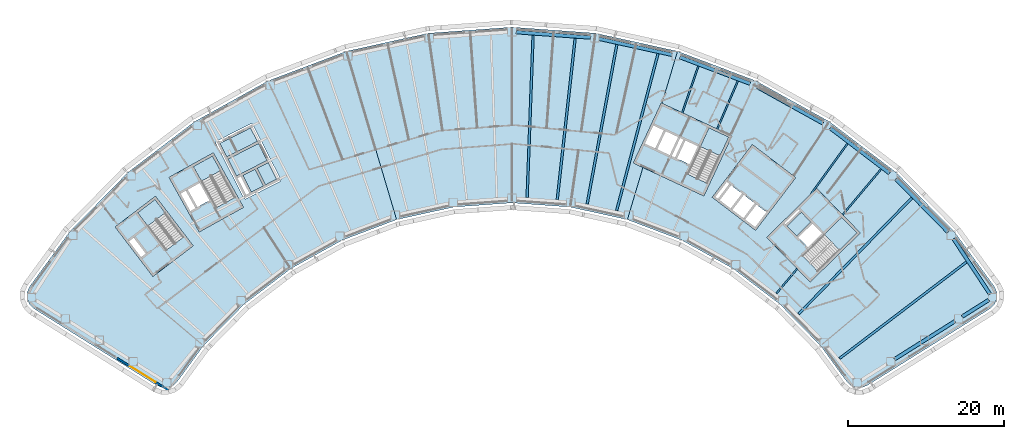
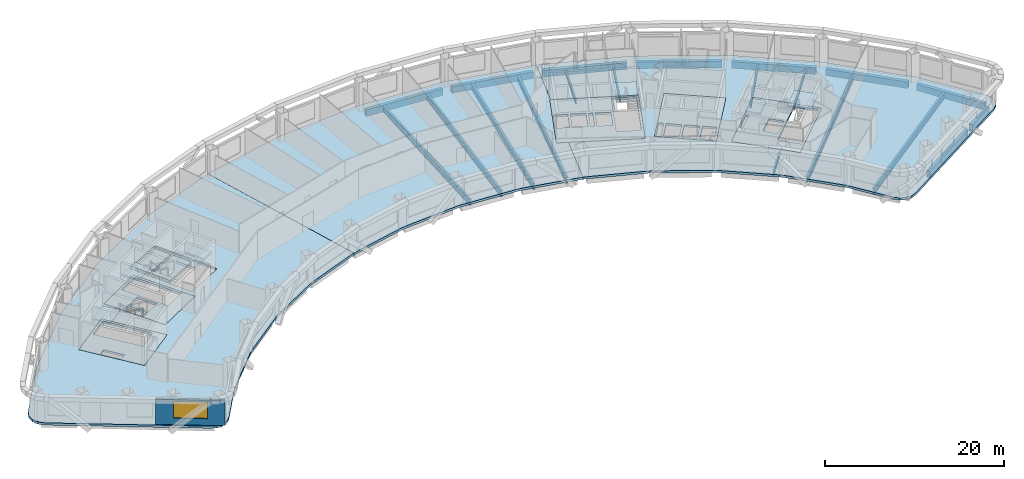
# One storey, part 2 of 16: 20 beams, 17 slabs, 1 wall, 1 window, 1 opening, 4 elements without a shape of their own.
"""IFC4 building model written with IfcOpenShell, lengths in metres."""

from ifc_helpers import new_model, si_unit, direction, frame, frame_2d, origin, origin_2d, place, context, subcontext, project, spatial, polyline, rectangle, hollow_rectangle, i_section, outline, extrude, material, layer, layer_set, material_profile, profile_set, type_object, element, fill, aggregate, save


model = new_model("IFC4")

# Units and contexts
model_context = context("Model", 3, precision=1e-05, world=origin(), true_north=direction((0.0, 1.0)))
body_context = subcontext(model_context, "Body", "Model", "MODEL_VIEW")
ifc_project = project(units=[si_unit("LENGTHUNIT", "METRE"), si_unit("AREAUNIT", "SQUARE_METRE"), si_unit("VOLUMEUNIT", "CUBIC_METRE"), si_unit("PLANEANGLEUNIT", "RADIAN"), si_unit("MASSUNIT", "GRAM", prefix="KILO")], contexts=[model_context])

# Site, building, storey
site_placement = place(None, origin())
site = spatial("IfcSite", under=ifc_project, at=site_placement, CompositionType="ELEMENT")
building_placement = place(site_placement, origin())
building = spatial("IfcBuilding", under=site, at=building_placement, Name="Tuul Gate Civic Tower", CompositionType="ELEMENT")
storey_placement = place(building_placement, frame((0.0, 0.0, 124.5)))
storey = spatial("IfcBuildingStorey", under=building, at=storey_placement, Name="Level 28", CompositionType="ELEMENT", Elevation=124.5)

# Beams
ifc_material_1 = material(Name="Steel S355", Category="steel")
ifc_material_profile_1 = material_profile(ifc_material_1, i_section(OverallWidth=0.199951171875, OverallDepth=0.5, WebThickness=0.010009765625, FlangeThickness=0.01611328125, at=origin_2d()), Name="PG500x200x10x16")
ifc_profile_set_1 = profile_set([ifc_material_profile_1], Name="Steel S355")
beam_type_1 = type_object("IfcBeamType", Name="STR-FLOOR BEAM-PG500x200x10x16", PredefinedType="BEAM", material=ifc_profile_set_1)
beam_1_placement = place(storey_placement, frame((43.78662109375, -19.88671875, -0.550048828125), z_axis=(0.644164873832, 0.764886668286, 0.0), x_axis=(-0.764886668286, 0.644164873832, 0.0)))
element("IfcBeam", 1, at=beam_1_placement, inside=storey, type_object=beam_type_1, Name="Floor beam", PredefinedType="BEAM", context=body_context, shape_type="SweptSolid", body=[
    extrude(i_section(OverallWidth=0.199951171875, OverallDepth=0.5, WebThickness=0.010009765625, FlangeThickness=0.01611328125, at=origin_2d()), origin(), (0.0, 0.0, 1.0), 4.129638671875),
])
beam_2_placement = place(storey_placement, frame((52.270263671875, -9.812255859375, -0.550048828125), z_axis=(0.644131817174, 0.764914506402, 0.0), x_axis=(-0.764914506402, 0.644131817174, 0.0)))
element("IfcBeam", 2, at=beam_2_placement, inside=storey, type_object=beam_type_1, Name="Floor beam", PredefinedType="BEAM", context=body_context, shape_type="SweptSolid", body=[
    extrude(i_section(OverallWidth=0.199951171875, OverallDepth=0.5, WebThickness=0.010009765625, FlangeThickness=0.01611328125, at=origin_2d()), origin(), (0.0, 0.0, 1.0), 7.65478515625),
])
beam_3_placement = place(storey_placement, frame((48.2353515625, -7.11572265625, -0.550048828125), z_axis=(0.586078163081, 0.810254519741, 0.0), x_axis=(-0.810254519741, 0.586078163081, 0.0)))
element("IfcBeam", 3, at=beam_3_placement, inside=storey, type_object=beam_type_1, Name="Floor beam", PredefinedType="BEAM", context=body_context, shape_type="SweptSolid", body=[
    extrude(i_section(OverallWidth=0.199951171875, OverallDepth=0.5, WebThickness=0.010009765625, FlangeThickness=0.01611328125, at=origin_2d()), origin(), (0.0, 0.0, 1.0), 7.94677734375),
])
beam_4_placement = place(storey_placement, frame((36.169677734375, 1.197998046875, -0.550048828125), z_axis=(0.394200560457, 0.919024438269, 0.0), x_axis=(-0.919024438269, 0.394200560457, 0.0)))
element("IfcBeam", 4, at=beam_4_placement, inside=storey, type_object=beam_type_1, Name="Floor beam", PredefinedType="BEAM", context=body_context, shape_type="SweptSolid", body=[
    extrude(i_section(OverallWidth=0.199951171875, OverallDepth=0.5, WebThickness=0.010009765625, FlangeThickness=0.01611328125, at=origin_2d()), origin(), (0.0, 0.0, 1.0), 6.704345703125),
])
beam_5_placement = place(storey_placement, frame((31.6875, 3.2880859375, -0.550048828125), z_axis=(0.325502200931, 0.945541282647, 0.0), x_axis=(-0.945541282647, 0.325502200931, 0.0)))
element("IfcBeam", 5, at=beam_5_placement, inside=storey, type_object=beam_type_1, Name="Floor beam", PredefinedType="BEAM", context=body_context, shape_type="SweptSolid", body=[
    extrude(i_section(OverallWidth=0.199951171875, OverallDepth=0.5, WebThickness=0.010009765625, FlangeThickness=0.01611328125, at=origin_2d()), origin(), (0.0, 0.0, 1.0), 6.3310546875),
])
ifc_material_2 = material(Name="Steel S355", Category="steel")
ifc_material_profile_2 = material_profile(ifc_material_2, i_section(OverallWidth=0.300048828125, OverallDepth=0.800048828125, WebThickness=0.013916015625, FlangeThickness=0.02490234375, at=origin_2d()), Name="PG800x300x14x25")
ifc_profile_set_2 = profile_set([ifc_material_profile_2], Name="Steel S355")
beam_type_2 = type_object("IfcBeamType", Name="STR-FLOOR BEAM-PG800x300x14x25", PredefinedType="BEAM", material=ifc_profile_set_2)
beam_6_placement = place(storey_placement, frame((51.8837890625, -28.2490234375, -0.699951171875), z_axis=(0.796146559843, 0.605103838403, 0.0), x_axis=(-0.605103838403, 0.796146559843, 0.0)))
element("IfcBeam", 6, at=beam_6_placement, inside=storey, type_object=beam_type_2, Name="Floor beam", PredefinedType="BEAM", context=body_context, shape_type="SweptSolid", body=[
    extrude(i_section(OverallWidth=0.300048828125, OverallDepth=0.800048828125, WebThickness=0.013916015625, FlangeThickness=0.02490234375, at=origin_2d()), origin(), (0.0, 0.0, 1.0), 20.46240234375),
])
beam_7_placement = place(storey_placement, frame((46.627197265625, -22.531982421875, -0.699951171875), z_axis=(0.698684495675, 0.715429923544, 0.0), x_axis=(-0.715429923544, 0.698684495675, 0.0)))
element("IfcBeam", 7, at=beam_7_placement, inside=storey, type_object=beam_type_2, Name="Floor beam", PredefinedType="BEAM", context=body_context, shape_type="SweptSolid", body=[
    extrude(i_section(OverallWidth=0.300048828125, OverallDepth=0.800048828125, WebThickness=0.013916015625, FlangeThickness=0.02490234375, at=origin_2d()), origin(), (0.0, 0.0, 1.0), 20.804931640625),
])
beam_8_placement = place(storey_placement, frame((23.267578125, -9.2548828125, -0.699951171875), z_axis=(0.255007612054, 0.966939045542, 0.0), x_axis=(-0.966939045542, 0.255007612054, 0.0)))
element("IfcBeam", 8, at=beam_8_placement, inside=storey, type_object=beam_type_2, Name="Floor beam", PredefinedType="BEAM", context=body_context, shape_type="SweptSolid", body=[
    extrude(i_section(OverallWidth=0.300048828125, OverallDepth=0.800048828125, WebThickness=0.013916015625, FlangeThickness=0.02490234375, at=origin_2d()), origin(), (0.0, 0.0, 1.0), 20.8173828125),
])
beam_9_placement = place(storey_placement, frame((19.477294921875, -8.419677734375, -0.699951171875), z_axis=(0.183147342328, 0.98308547492, 0.0), x_axis=(-0.98308547492, 0.183147342328, 0.0)))
element("IfcBeam", 9, at=beam_9_placement, inside=storey, type_object=beam_type_2, Name="Floor beam", PredefinedType="BEAM", context=body_context, shape_type="SweptSolid", body=[
    extrude(i_section(OverallWidth=0.300048828125, OverallDepth=0.800048828125, WebThickness=0.013916015625, FlangeThickness=0.02490234375, at=origin_2d()), origin(), (0.0, 0.0, 1.0), 20.811279296875),
])
beam_10_placement = place(storey_placement, frame((15.64013671875, -7.839599609375, -0.699951171875), z_axis=(0.110288630292, 0.993899601584, 0.0), x_axis=(-0.993899601584, 0.110288630292, 0.0)))
element("IfcBeam", 10, at=beam_10_placement, inside=storey, type_object=beam_type_2, Name="Floor beam", PredefinedType="BEAM", context=body_context, shape_type="SweptSolid", body=[
    extrude(i_section(OverallWidth=0.300048828125, OverallDepth=0.800048828125, WebThickness=0.013916015625, FlangeThickness=0.02490234375, at=origin_2d()), origin(), (0.0, 0.0, 1.0), 20.81494140625),
])
beam_11_placement = place(storey_placement, frame((11.769287109375, -7.55908203125, -0.699951171875), z_axis=(0.036833774102, 0.999321406298, 0.0), x_axis=(-0.999321406298, 0.036833774102, 0.0)))
element("IfcBeam", 11, at=beam_11_placement, inside=storey, type_object=beam_type_2, Name="Floor beam", PredefinedType="BEAM", context=body_context, shape_type="SweptSolid", body=[
    extrude(i_section(OverallWidth=0.300048828125, OverallDepth=0.800048828125, WebThickness=0.013916015625, FlangeThickness=0.02490234375, at=origin_2d()), origin(), (0.0, 0.0, 1.0), 20.8125),
])
ifc_material_3 = material(Name="Steel S355", Category="steel")
ifc_material_profile_3 = material_profile(ifc_material_3, hollow_rectangle(XDim=0.449951171875, YDim=0.89990234375, WallThickness=0.02490234375, at=origin_2d()), Name="BOX900x450x25")
ifc_profile_set_3 = profile_set([ifc_material_profile_3], Name="Steel S355")
beam_type_3 = type_object("IfcBeamType", Name="STR-SPANDREL BEAM-BOX900x450x25", PredefinedType="BEAM", material=ifc_profile_set_3)
beam_12_placement = place(storey_placement, frame((71.196533203125, -19.983154296875, -0.75), z_axis=(-0.551590080745, 0.83411532945, 0.0), x_axis=(-0.83411532945, -0.551590080745, 0.0)))
element("IfcBeam", 12, at=beam_12_placement, inside=storey, type_object=beam_type_3, Name="Spandrel beam", PredefinedType="BEAM", context=body_context, shape_type="SweptSolid", body=[
    extrude(hollow_rectangle(XDim=0.449951171875, YDim=0.89990234375, WallThickness=0.02490234375, at=origin_2d()), origin(), (0.0, 0.0, 1.0), 8.506591796875),
])
beam_13_placement = place(storey_placement, frame((65.81591796875, -12.0361328125, -0.75), z_axis=(-0.700049238086, 0.714094576548, 0.0), x_axis=(-0.714094576548, -0.700049238086, 0.0)))
element("IfcBeam", 13, at=beam_13_placement, inside=storey, type_object=beam_type_3, Name="Spandrel beam", PredefinedType="BEAM", context=body_context, shape_type="SweptSolid", body=[
    extrude(hollow_rectangle(XDim=0.449951171875, YDim=0.89990234375, WallThickness=0.02490234375, at=origin_2d()), origin(), (0.0, 0.0, 1.0), 9.57763671875),
])
beam_14_placement = place(storey_placement, frame((58.288330078125, -4.470703125, -0.75), z_axis=(-0.795628890165, 0.605784342101, 0.0), x_axis=(-0.605784342101, -0.795628890165, 0.0)))
element("IfcBeam", 14, at=beam_14_placement, inside=storey, type_object=beam_type_3, Name="Spandrel beam", PredefinedType="BEAM", context=body_context, shape_type="SweptSolid", body=[
    extrude(hollow_rectangle(XDim=0.449951171875, YDim=0.89990234375, WallThickness=0.02490234375, at=origin_2d()), origin(), (0.0, 0.0, 1.0), 9.576904296875),
])
beam_15_placement = place(storey_placement, frame((49.75, 1.9306640625, -0.75), z_axis=(-0.874633056334, 0.484785536879, 0.0), x_axis=(-0.484785536879, -0.874633056334, 0.0)))
element("IfcBeam", 15, at=beam_15_placement, inside=storey, type_object=beam_type_3, Name="Spandrel beam", PredefinedType="BEAM", context=body_context, shape_type="SweptSolid", body=[
    extrude(hollow_rectangle(XDim=0.449951171875, YDim=0.89990234375, WallThickness=0.02490234375, at=origin_2d()), origin(), (0.0, 0.0, 1.0), 9.57666015625),
])
beam_16_placement = place(storey_placement, frame((40.378662109375, 7.034423828125, -0.75), z_axis=(-0.935356695064, 0.353705884879, 0.0), x_axis=(-0.353705884879, -0.935356695064, 0.0)))
element("IfcBeam", 16, at=beam_16_placement, inside=storey, type_object=beam_type_3, Name="Spandrel beam", PredefinedType="BEAM", context=body_context, shape_type="SweptSolid", body=[
    extrude(hollow_rectangle(XDim=0.449951171875, YDim=0.89990234375, WallThickness=0.02490234375, at=origin_2d()), origin(), (0.0, 0.0, 1.0), 9.578369140625),
])
beam_17_placement = place(storey_placement, frame((30.367919921875, 10.7353515625, -0.75), z_axis=(-0.976564052188, 0.215226977802, 0.0), x_axis=(-0.215226977802, -0.976564052188, 0.0)))
element("IfcBeam", 17, at=beam_17_placement, inside=storey, type_object=beam_type_3, Name="Spandrel beam", PredefinedType="BEAM", context=body_context, shape_type="SweptSolid", body=[
    extrude(hollow_rectangle(XDim=0.449951171875, YDim=0.89990234375, WallThickness=0.02490234375, at=origin_2d()), origin(), (0.0, 0.0, 1.0), 9.5771484375),
])
beam_18_placement = place(storey_placement, frame((19.929443359375, 12.954833984375, -0.75), z_axis=(-0.997390439125, 0.072196343002, 0.0), x_axis=(-0.072196343002, -0.997390439125, 0.0)))
element("IfcBeam", 18, at=beam_18_placement, inside=storey, type_object=beam_type_3, Name="Spandrel beam", PredefinedType="BEAM", context=body_context, shape_type="SweptSolid", body=[
    extrude(hollow_rectangle(XDim=0.449951171875, YDim=0.89990234375, WallThickness=0.02490234375, at=origin_2d()), origin(), (0.0, 0.0, 1.0), 9.57666015625),
])
beam_19_placement = place(storey_placement, frame((58.9375, -28.352783203125, -0.75), z_axis=(0.84615675437, 0.53293409258, 0.0), x_axis=(-0.53293409258, 0.84615675437, 0.0)))
element("IfcBeam", 19, at=beam_19_placement, inside=storey, type_object=beam_type_3, Name="Spandrel beam", PredefinedType="BEAM", context=body_context, shape_type="SweptSolid", body=[
    extrude(hollow_rectangle(XDim=0.449951171875, YDim=0.89990234375, WallThickness=0.02490234375, at=origin_2d()), origin(), (0.0, 0.0, 1.0), 9.1640625),
])
beam_20_placement = place(storey_placement, frame((67.62255859375, -22.883056640625, -0.75), z_axis=(0.846279351523, 0.532739391435, 0.0), x_axis=(-0.532739391435, 0.846279351523, 0.0)))
element("IfcBeam", 20, at=beam_20_placement, inside=storey, type_object=beam_type_3, Name="Spandrel beam", PredefinedType="BEAM", context=body_context, shape_type="SweptSolid", body=[
    extrude(hollow_rectangle(XDim=0.449951171875, YDim=0.89990234375, WallThickness=0.02490234375, at=origin_2d()), origin(), (0.0, 0.0, 1.0), 4.031982421875),
])

# Slabs
ifc_material_4 = material(Name="Concrete C40/50", Category="concrete")
ifc_layer_1 = layer(ifc_material_4, 0.300048828125)
ifc_layer_set_1 = layer_set([ifc_layer_1], Name="Concrete C40/50")
slab_type_1 = type_object("IfcSlabType", Name="Core floor slab 300", PredefinedType="FLOOR", material=ifc_layer_set_1)
slab_1_placement = place(storey_placement, frame((0.0, 0.0, -0.300048828125)))
element("IfcSlab", 21, at=slab_1_placement, inside=storey, type_object=slab_type_1, Name="FLOOR SLAB", PredefinedType="FLOOR", context=body_context, shape_type="SweptSolid", body=[
    extrude(outline(polyline([(-31.10009765625, -13.7890625), (-35.946044921875, -7.423828125), (-41.11767578125, -11.361572265625), (-36.271484375, -17.726806640625), (-31.10009765625, -13.7890625)]), holes=[polyline([(-37.19287109375, -14.783203125), (-38.737548828125, -12.75439453125), (-39.45361328125, -13.299560546875), (-37.908935546875, -15.328369140625), (-37.19287109375, -14.783203125)]), polyline([(-32.33935546875, -12.65771484375), (-34.56591796875, -14.352783203125), (-38.229736328125, -9.54052734375), (-36.003173828125, -7.845458984375), (-32.33935546875, -12.65771484375)])]), origin(), (0.0, 0.0, 1.0), 0.300048828125),
])
slab_2_placement = place(storey_placement, frame((0.0, 0.0, -0.300048828125)))
element("IfcSlab", 22, at=slab_2_placement, inside=storey, type_object=slab_type_1, Name="FLOOR SLAB", PredefinedType="FLOOR", context=body_context, shape_type="SweptSolid", body=[
    extrude(outline(polyline([(-24.638916015625, -8.846923828125), (-28.51708984375, -1.849853515625), (-34.2021484375, -5.0009765625), (-30.32421875, -11.998046875), (-24.638916015625, -8.846923828125)]), holes=[polyline([(-29.0185546875, -7.958740234375), (-30.254638671875, -5.728515625), (-31.785400390625, -6.576904296875), (-30.54931640625, -8.80712890625), (-29.0185546875, -7.958740234375)]), polyline([(-30.8115234375, -8.95263671875), (-32.047607421875, -6.72216796875), (-32.8349609375, -7.158447265625), (-31.5986328125, -9.388916015625), (-30.8115234375, -8.95263671875)]), polyline([(-25.702392578125, -7.548828125), (-28.14990234375, -8.905517578125), (-31.08203125, -3.615234375), (-28.63427734375, -2.2587890625), (-25.702392578125, -7.548828125)])]), origin(), (0.0, 0.0, 1.0), 0.300048828125),
])
slab_3_placement = place(storey_placement, frame((0.0, 0.0, -0.300048828125)))
element("IfcSlab", 23, at=slab_3_placement, inside=storey, type_object=slab_type_1, Name="FLOOR SLAB", PredefinedType="FLOOR", context=body_context, shape_type="SweptSolid", body=[
    extrude(outline(polyline([(48.117919921875, -18.43310546875), (54.545166015625, -12.1328125), (48.945068359375, -6.419921875), (42.517822265625, -12.719970703125), (48.117919921875, -18.43310546875)]), holes=[polyline([(47.808837890625, -13.974853515625), (49.6298828125, -12.18994140625), (48.40478515625, -10.940185546875), (46.583984375, -12.72509765625), (47.808837890625, -13.974853515625)]), polyline([(44.93896484375, -11.046875), (46.760009765625, -9.261962890625), (46.514892578125, -9.011962890625), (44.69384765625, -10.797119140625), (44.93896484375, -11.046875)]), polyline([(49.086181640625, -17.062744140625), (47.12744140625, -15.064208984375), (52.160888671875, -10.130126953125), (54.11962890625, -12.128662109375), (49.086181640625, -17.062744140625)])]), origin(), (0.0, 0.0, 1.0), 0.300048828125),
])
slab_4_placement = place(storey_placement, frame((0.0, 0.0, -0.300048828125)))
element("IfcSlab", 24, at=slab_4_placement, inside=storey, type_object=slab_type_1, Name="FLOOR SLAB", PredefinedType="FLOOR", context=body_context, shape_type="SweptSolid", body=[
    extrude(outline(polyline([(34.465087890625, -7.385986328125), (38.056884765625, 0.31787109375), (28.993896484375, 4.543701171875), (25.40185546875, -3.159912109375), (34.465087890625, -7.385986328125)]), holes=[polyline([(32.60888671875, -3.32080078125), (33.6865234375, -1.009765625), (32.1005859375, -0.27001953125), (31.02294921875, -2.581298828125), (32.60888671875, -3.32080078125)]), polyline([(30.0712890625, -2.137451171875), (31.14892578125, 0.173583984375), (29.562744140625, 0.9130859375), (28.4853515625, -1.39794921875), (30.0712890625, -2.137451171875)]), polyline([(30.751220703125, -2.454345703125), (31.82861328125, -0.143310546875), (31.4208984375, 0.046875), (30.34326171875, -2.264404296875), (30.751220703125, -2.454345703125)]), polyline([(28.21337890625, -1.27099609375), (29.291015625, 1.0400390625), (27.8408203125, 1.71630859375), (26.76318359375, -0.594970703125), (28.21337890625, -1.27099609375)]), polyline([(34.889892578125, -5.7626953125), (32.353759765625, -4.580078125), (35.120849609375, 1.354736328125), (37.6572265625, 0.17236328125), (34.889892578125, -5.7626953125)])]), origin(), (0.0, 0.0, 1.0), 0.300048828125),
])
ifc_material_5 = material(Name="Concrete C40/50", Category="concrete")
ifc_layer_2 = layer(ifc_material_5, 0.300048828125)
ifc_layer_set_2 = layer_set([ifc_layer_2], Name="Concrete C40/50")
slab_type_2 = type_object("IfcSlabType", Name="Core floor slab 300 non-bearing", PredefinedType="FLOOR", material=ifc_layer_set_2)
slab_5_placement = place(storey_placement, frame((0.0, 0.0, -0.300048828125)))
element("IfcSlab", 25, at=slab_5_placement, inside=storey, type_object=slab_type_2, Name="FLOOR SLAB", PredefinedType="FLOOR", context=body_context, shape_type="SweptSolid", body=[
    extrude(outline(polyline([(41.10107421875, -11.797119140625), (46.25, -5.033935546875), (40.680908203125, -0.79296875), (35.531982421875, -7.555908203125), (41.10107421875, -11.797119140625)]), holes=[polyline([(41.044189453125, -11.37646484375), (42.497802734375, -9.467041015625), (41.22509765625, -8.49755859375), (39.77099609375, -10.4072265625), (41.044189453125, -11.37646484375)]), polyline([(39.532470703125, -10.225341796875), (40.986328125, -8.31591796875), (39.593994140625, -7.255615234375), (38.14013671875, -9.165283203125), (39.532470703125, -10.225341796875)]), polyline([(37.901611328125, -8.9833984375), (39.35546875, -7.073974609375), (37.963134765625, -6.013671875), (36.50927734375, -7.923095703125), (37.901611328125, -8.9833984375)]), polyline([(36.1796875, -7.860595703125), (37.724609375, -5.831787109375), (37.286865234375, -5.49853515625), (35.7421875, -7.527587890625), (36.1796875, -7.860595703125)])]), origin(), (0.0, 0.0, 1.0), 0.300048828125),
])
slab_6_placement = place(storey_placement, frame((0.0, 0.0, -0.300048828125)))
element("IfcSlab", 26, at=slab_6_placement, inside=storey, type_object=slab_type_2, Name="FLOOR SLAB", PredefinedType="FLOOR", context=body_context, shape_type="SweptSolid", body=[
    extrude(outline(polyline([(-27.66455078125, -0.63916015625), (-23.744140625, 1.3583984375), (-22.85888671875, -0.37890625), (-26.779296875, -2.37646484375), (-27.66455078125, -0.63916015625)])), origin(), (0.0, 0.0, 1.0), 0.300048828125),
])
slab_7_placement = place(storey_placement, frame((0.0, 0.0, -0.300048828125)))
element("IfcSlab", 27, at=slab_7_placement, inside=storey, type_object=slab_type_2, Name="FLOOR SLAB", PredefinedType="FLOOR", context=body_context, shape_type="SweptSolid", body=[
    extrude(outline(polyline([(-26.64306640625, -2.643798828125), (-22.72265625, -0.646240234375), (-21.6103515625, -2.8291015625), (-25.53076171875, -4.82666015625), (-26.64306640625, -2.643798828125)])), origin(), (0.0, 0.0, 1.0), 0.300048828125),
])

# Stair, slab
ifc_material_6 = material(Name="Concrete C40/50", Category="concrete")
stair_type = type_object("IfcStairType", Name="Exit stair", PredefinedType="HALF_TURN_STAIR", material=ifc_material_6)
stair_1_placement = place(storey_placement, origin())
stair_1 = element("IfcStair", 28, at=stair_1_placement, inside=storey, type_object=stair_type, Name="Level 28 ST-1", PredefinedType="HALF_TURN_STAIR")
ifc_material_7 = material(Name="Concrete C40/50", Category="concrete")
ifc_layer_3 = layer(ifc_material_7, 0.199951171875)
ifc_layer_set_3 = layer_set([ifc_layer_3], Name="Concrete C40/50")
slab_type_3 = type_object("IfcSlabType", Name="Exit stair landing", PredefinedType="LANDING", material=ifc_layer_set_3)
slab_8_placement = place(storey_placement, frame((0.0, 0.0, 1.89990234375)))
slab_8 = element("IfcSlab", 29, at=slab_8_placement, type_object=slab_type_3, Name="ST-1 landing 1", PredefinedType="LANDING", context=body_context, shape_type="SweptSolid", body=[
    extrude(outline(polyline([(-34.699462890625, -9.554931640625), (-36.9287109375, -11.252197265625), (-38.23193359375, -9.540283203125), (-36.0029296875, -7.843017578125), (-34.699462890625, -9.554931640625)])), origin(), (0.0, 0.0, 1.0), 0.2001953125),
])
aggregate(stair_1, [slab_8])

stair_2_placement = place(storey_placement, origin())
stair_2 = element("IfcStair", 30, at=stair_2_placement, inside=storey, type_object=stair_type, Name="Level 28 ST-2", PredefinedType="HALF_TURN_STAIR")
slab_9_placement = place(storey_placement, frame((0.0, 0.0, 1.89990234375)))
slab_9 = element("IfcSlab", 31, at=slab_9_placement, type_object=slab_type_3, Name="ST-2 landing 1", PredefinedType="LANDING", context=body_context, shape_type="SweptSolid", body=[
    extrude(outline(polyline([(-27.5908203125, -4.138427734375), (-30.041015625, -5.49658203125), (-31.084228515625, -3.61474609375), (-28.6337890625, -2.256591796875), (-27.5908203125, -4.138427734375)])), origin(), (0.0, 0.0, 1.0), 0.2001953125),
])
aggregate(stair_2, [slab_9])

stair_3_placement = place(storey_placement, origin())
stair_3 = element("IfcStair", 32, at=stair_3_placement, inside=storey, type_object=stair_type, Name="Level 28 ST-3", PredefinedType="HALF_TURN_STAIR")
slab_10_placement = place(storey_placement, frame((0.0, 0.0, 1.89990234375)))
slab_10 = element("IfcSlab", 33, at=slab_10_placement, type_object=slab_type_3, Name="ST-3 landing 1", PredefinedType="LANDING", context=body_context, shape_type="SweptSolid", body=[
    extrude(outline(polyline([(51.871337890625, -14.3349609375), (49.91015625, -12.334228515625), (52.160888671875, -10.1279296875), (54.1220703125, -12.128662109375), (51.871337890625, -14.3349609375)])), origin(), (0.0, 0.0, 1.0), 0.2001953125),
])
aggregate(stair_3, [slab_10])

stair_4_placement = place(storey_placement, origin())
stair_4 = element("IfcStair", 34, at=stair_4_placement, inside=storey, type_object=stair_type, Name="Level 28 ST-4", PredefinedType="HALF_TURN_STAIR")
slab_11_placement = place(storey_placement, frame((0.0, 0.0, 1.89990234375)))
slab_11 = element("IfcSlab", 35, at=slab_11_placement, type_object=slab_type_3, Name="ST-4 landing 1", PredefinedType="LANDING", context=body_context, shape_type="SweptSolid", body=[
    extrude(outline(polyline([(36.538818359375, -2.230224609375), (33.999755859375, -1.046142578125), (35.1201171875, 1.35693359375), (37.659423828125, 0.173095703125), (36.538818359375, -2.230224609375)])), origin(), (0.0, 0.0, 1.0), 0.2001953125),
])
aggregate(stair_4, [slab_11])

# Slabs
ifc_material_8 = material(Name="Concrete C40/50", Category="concrete")
ifc_layer_4 = layer(ifc_material_8, 0.300048828125)
ifc_layer_set_4 = layer_set([ifc_layer_4], Name="Concrete C40/50")
slab_type_4 = type_object("IfcSlabType", Name="Lift pit floor", PredefinedType="USERDEFINED", material=ifc_layer_set_4)
slab_12_placement = place(storey_placement, frame((0.0, 0.0, 2.10009765625)))
element("IfcSlab", 36, at=slab_12_placement, inside=storey, type_object=slab_type_4, Name="Lift pit floor M1", ObjectType="LIFT PIT FLOOR", PredefinedType="USERDEFINED", context=body_context, shape_type="SweptSolid", body=[
    extrude(outline(polyline([(-20.384521484375, -5.23486328125), (-21.47412109375, -3.096435546875), (-22.899658203125, -3.822998046875), (-21.81005859375, -5.961181640625), (-20.384521484375, -5.23486328125)])), origin(), (0.0, 0.0, 1.0), 0.2998046875),
])
slab_13_placement = place(storey_placement, frame((0.0, 0.0, 2.10009765625)))
element("IfcSlab", 37, at=slab_13_placement, inside=storey, type_object=slab_type_4, Name="Lift pit floor M2", ObjectType="LIFT PIT FLOOR", PredefinedType="USERDEFINED", context=body_context, shape_type="SweptSolid", body=[
    extrude(outline(polyline([(-22.077392578125, -6.097412109375), (-23.1669921875, -3.958984375), (-24.726318359375, -4.753662109375), (-23.63671875, -6.89208984375), (-22.077392578125, -6.097412109375)])), origin(), (0.0, 0.0, 1.0), 0.2998046875),
])
slab_14_placement = place(storey_placement, frame((0.0, 0.0, 2.10009765625)))
element("IfcSlab", 38, at=slab_14_placement, inside=storey, type_object=slab_type_4, Name="Lift pit floor M3", ObjectType="LIFT PIT FLOOR", PredefinedType="USERDEFINED", context=body_context, shape_type="SweptSolid", body=[
    extrude(outline(polyline([(46.373779296875, -12.510986328125), (48.19482421875, -10.725830078125), (46.969970703125, -9.47607421875), (45.14892578125, -11.26123046875), (46.373779296875, -12.510986328125)])), origin(), (0.0, 0.0, 1.0), 0.2998046875),
])
ifc_material_9 = material(Name="Concrete C35/45", Category="concrete")
ifc_layer_5 = layer(ifc_material_9, 0.300048828125)
ifc_layer_set_5 = layer_set([ifc_layer_5], Name="Concrete C35/45")
slab_type_5 = type_object("IfcSlabType", Name="STR-FLOOR-SLAB-300", PredefinedType="FLOOR", material=ifc_layer_set_5)
slab_15_placement = place(storey_placement, frame((0.0, 0.0, -0.300048828125)))
element("IfcSlab", 39, at=slab_15_placement, inside=storey, type_object=slab_type_5, Name="Level 28/slab/W", PredefinedType="FLOOR", context=body_context, shape_type="SweptSolid", body=[
    extrude(outline(polyline([(-12.0048828125, -13.0830078125), (-4.985107421875, -10.427978515625), (-11.4189453125, 11.194091796875), (-21.488037109375, 7.385986328125), (-30.902099609375, 2.1669921875), (-39.467041015625, -4.35302734375), (-47.001953125, -12.0400390625), (-52.0830078125, -18.9970703125), (-52.4189453125, -19.739990234375), (-52.430908203125, -20.555908203125), (-52.116943359375, -21.30810546875), (-51.527099609375, -21.8720703125), (-35.797119140625, -31.701904296875), (-35.10302734375, -31.971923828125), (-34.35791015625, -31.968994140625), (-33.666015625, -31.694091796875), (-33.1220703125, -31.18505859375), (-29.79296875, -26.626953125), (-24.5400390625, -21.26806640625), (-18.569091796875, -16.720947265625), (-12.0048828125, -13.0830078125)]), holes=[polyline([(-31.10009765625, -13.7890625), (-36.27197265625, -17.72705078125), (-41.117919921875, -11.362060546875), (-35.946044921875, -7.424072265625), (-31.10009765625, -13.7890625)]), polyline([(-30.323974609375, -11.998046875), (-34.201904296875, -5.0009765625), (-28.51708984375, -1.85009765625), (-24.638916015625, -8.846923828125), (-30.323974609375, -11.998046875)]), polyline([(-24.367919921875, -7.77001953125), (-24.570068359375, -7.7041015625), (-28.201904296875, -0.575927734375), (-28.135986328125, -0.3740234375), (-23.680908203125, 1.89599609375), (-23.47900390625, 1.830078125), (-19.846923828125, -5.298095703125), (-19.9130859375, -5.5), (-24.367919921875, -7.77001953125)])]), origin(), (0.0, 0.0, 1.0), 0.300048828125),
])
slab_16_placement = place(storey_placement, frame((0.0, 0.0, -0.300048828125)))
element("IfcSlab", 40, at=slab_16_placement, inside=storey, type_object=slab_type_5, Name="Level 28/slab/M", PredefinedType="FLOOR", context=body_context, shape_type="SweptSolid", body=[
    extrude(outline(polyline([(24.64306640625, -10.427978515625), (26.635009765625, -3.735107421875), (25.402099609375, -3.159912109375), (28.993896484375, 4.5439453125), (29.0859375, 4.5009765625), (31.076904296875, 11.194091796875), (20.56494140625, 13.510009765625), (9.8291015625, 14.2880859375), (-0.906982421875, 13.510009765625), (-11.4189453125, 11.194091796875), (-4.985107421875, -10.427978515625), (2.343994140625, -8.81298828125), (9.8291015625, -8.27099609375), (17.31396484375, -8.81298828125), (24.64306640625, -10.427978515625)])), origin(), (0.0, 0.0, 1.0), 0.300048828125),
])
slab_17_placement = place(storey_placement, frame((0.0, 0.0, -0.300048828125)))
element("IfcSlab", 41, at=slab_17_placement, inside=storey, type_object=slab_type_5, Name="Level 28/slab/E", PredefinedType="FLOOR", context=body_context, shape_type="SweptSolid", body=[
    extrude(outline(polyline([(54.760986328125, -31.971923828125), (55.455078125, -31.701904296875), (71.18505859375, -21.8720703125), (71.77392578125, -21.30810546875), (72.089111328125, -20.555908203125), (72.076904296875, -19.739990234375), (71.739990234375, -18.9970703125), (66.659912109375, -12.0400390625), (59.1240234375, -4.35302734375), (50.56005859375, 2.1669921875), (41.14501953125, 7.385986328125), (31.076904296875, 11.194091796875), (29.0859375, 4.5009765625), (38.056884765625, 0.318115234375), (34.465087890625, -7.385986328125), (26.635009765625, -3.735107421875), (24.64306640625, -10.427978515625), (31.6630859375, -13.0830078125), (38.22607421875, -16.720947265625), (44.197021484375, -21.26806640625), (49.450927734375, -26.626953125), (52.780029296875, -31.18505859375), (53.323974609375, -31.694091796875), (54.01611328125, -31.968994140625), (54.760986328125, -31.971923828125)]), holes=[polyline([(42.51806640625, -12.719970703125), (48.945068359375, -6.419921875), (54.544921875, -12.133056640625), (48.117919921875, -18.43310546875), (42.51806640625, -12.719970703125)]), polyline([(41.10107421875, -11.797119140625), (35.531982421875, -7.555908203125), (40.680908203125, -0.79296875), (46.25, -5.033935546875), (41.10107421875, -11.797119140625)])]), origin(), (0.0, 0.0, 1.0), 0.300048828125),
])

# Wall, opening, window
ifc_material_10 = material(Name="Precast concrete C40/50", Category="concrete")
ifc_layer_6 = layer(ifc_material_10, 0.25)
ifc_layer_set_6 = layer_set([ifc_layer_6], Name="Precast concrete C40/50")
wall_type = type_object("IfcWallType", Name="External wall", PredefinedType="STANDARD", material=ifc_layer_set_6)
wall_placement = place(storey_placement, frame((-40.89501953125, -28.191650390625, 0.0), z_axis=(0.0, 0.0, 1.0), x_axis=(0.848044094411, -0.529925668311, 0.0)))
wall = element("IfcWall", 42, at=wall_placement, inside=storey, type_object=wall_type, Name="External wall", PredefinedType="STANDARD", context=body_context, shape_type="SweptSolid", body=[
    extrude(rectangle(XDim=7.787353515625, YDim=0.25, at=frame_2d((3.8935546875, 0.0))), origin(), (0.0, 0.0, 1.0), 3.449951171875),
])
opening_placement = place(wall_placement, frame((1.9951171875, 0.0, 0.89990234375)))
opening = element("IfcOpeningElement", 43, at=opening_placement, cuts=wall, Name="Opening W22", PredefinedType="OPENING", context=body_context, shape_type="SweptSolid", body=[
    extrude(rectangle(XDim=3.85009765625, YDim=2.300048828125, at=frame_2d((1.925048828125, 1.14990234375))), frame((0.0, 0.135009765625, 0.0), z_axis=(0.0, -1.0, 0.0), x_axis=(1.0, 0.0, 0.0)), (0.0, 0.0, 1.0), 0.27001953125),
])
ifc_material_11 = material(Name="Glass", Category="glass")
window_type = type_object("IfcWindowType", Name="Window W22 3850 x 2300", PartitioningType="SINGLE_PANEL", PredefinedType="WINDOW", material=ifc_material_11)
window_placement = place(opening_placement, origin())
window = element("IfcWindow", 44, at=window_placement, inside=storey, type_object=window_type, Name="Window", OverallHeight=2.300048828125, OverallWidth=3.85009765625, PartitioningType="SINGLE_PANEL", PredefinedType="WINDOW", context=body_context, shape_type="SweptSolid", body=[
    extrude(rectangle(XDim=3.85009765625, YDim=2.300048828125, at=frame_2d((1.925048828125, 1.14990234375))), frame((0.0, 0.030029296875, 0.0), z_axis=(0.0, -1.0, 0.0), x_axis=(1.0, 0.0, 0.0)), (0.0, 0.0, 1.0), 0.06005859375),
])
fill(opening, window)

save(model, "model.ifc")
